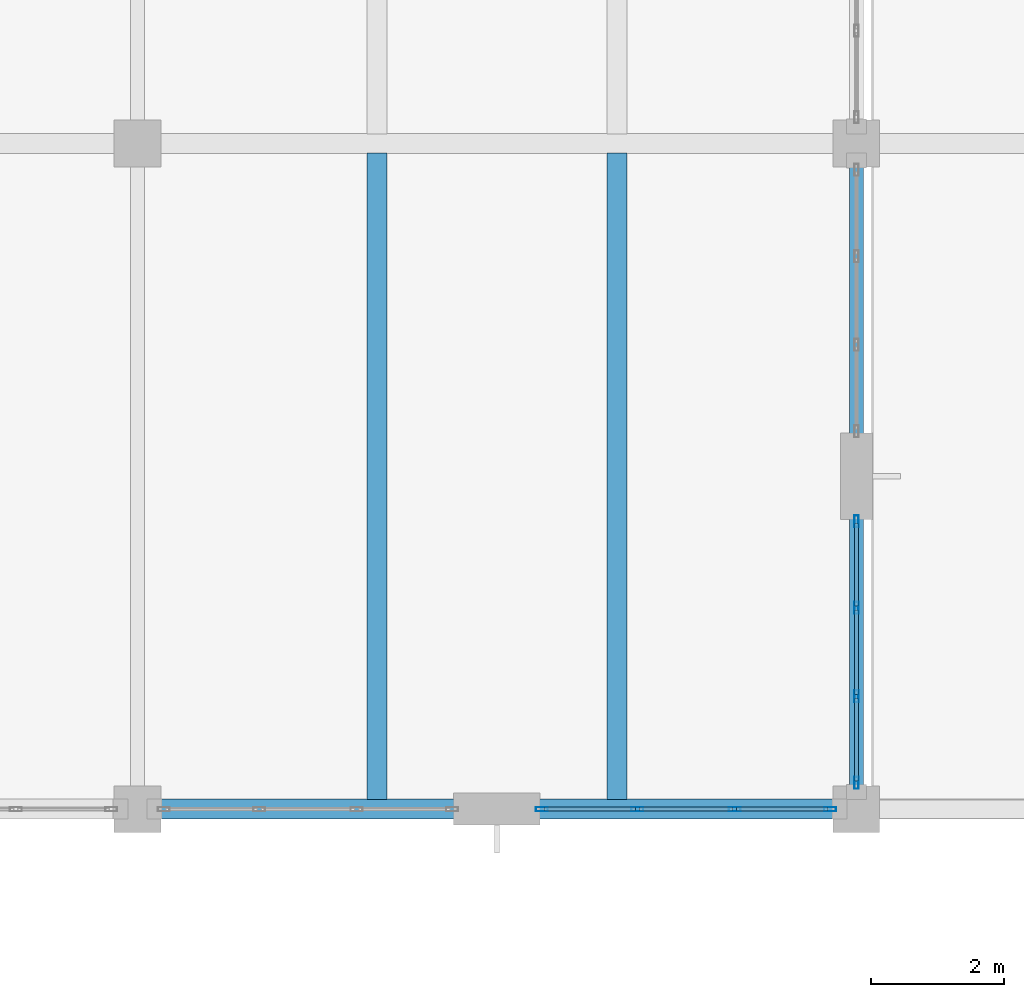
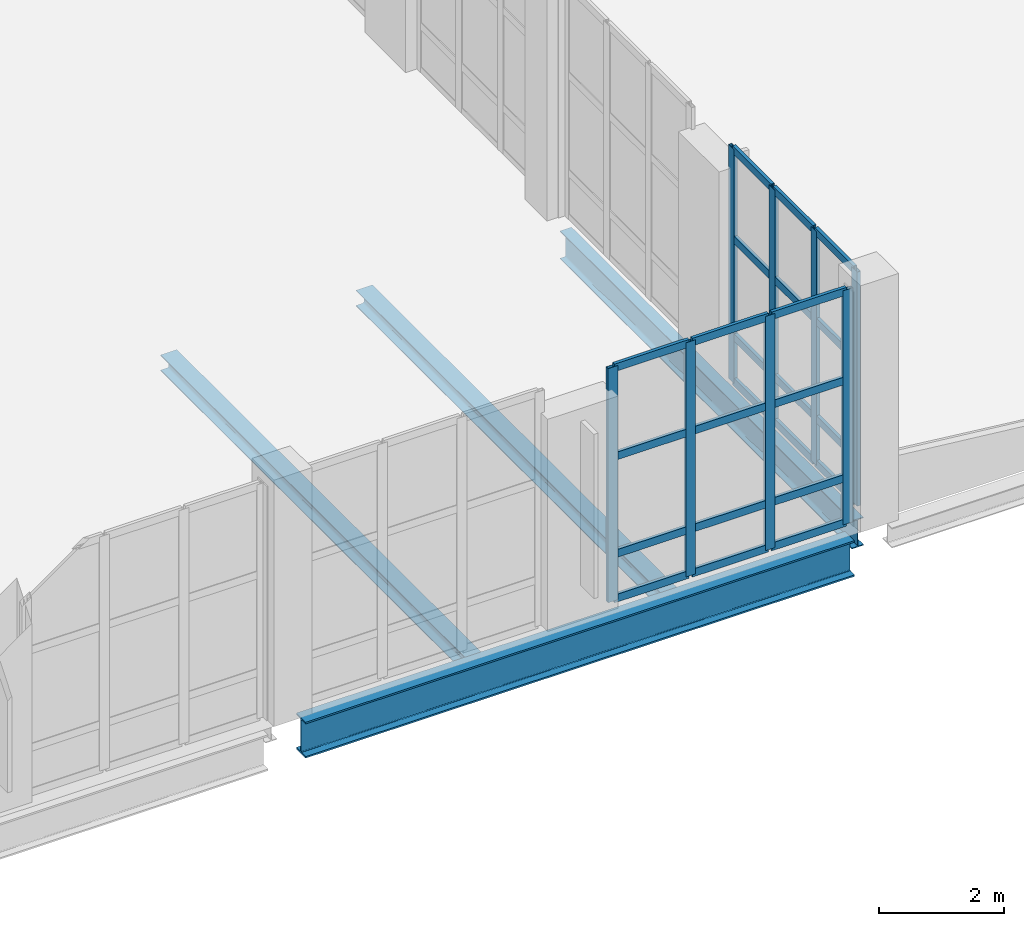
# One storey, part 48 of 92: 32 members, 4 beams, 2 elements without a shape of their own.
"""IFC4 building model written with IfcOpenShell, lengths in metres."""

from ifc_helpers import new_model, si_unit, direction, frame, origin, origin_2d, place, context, subcontext, project, spatial, hollow_rectangle, i_section, extrude, material, layer, layer_set, material_profile, profile_set, type_object, element, aggregate, save


model = new_model("IFC4")

# Units and contexts
model_context = context("Model", 3, precision=1e-05, world=origin(), true_north=direction((0.0, 1.0)))
body_context = subcontext(model_context, "Body", "Model", "MODEL_VIEW")
ifc_project = project(units=[si_unit("LENGTHUNIT", "METRE"), si_unit("AREAUNIT", "SQUARE_METRE"), si_unit("VOLUMEUNIT", "CUBIC_METRE"), si_unit("PLANEANGLEUNIT", "RADIAN"), si_unit("MASSUNIT", "GRAM", prefix="KILO")], contexts=[model_context])

# Site, building, storey
site_placement = place(None, origin())
site = spatial("IfcSite", under=ifc_project, at=site_placement, CompositionType="ELEMENT")
building_placement = place(site_placement, origin())
building = spatial("IfcBuilding", under=site, at=building_placement, Name="Tasgan Crest Museum", CompositionType="ELEMENT")
storey_placement = place(building_placement, frame((0.0, 0.0, 4.800048828125)))
storey = spatial("IfcBuildingStorey", under=building, at=storey_placement, Name="L01", CompositionType="ELEMENT", Elevation=4.800048828125)

# Beams
ifc_material_1 = material(Name="Steel S355K2", Category="steel")
ifc_material_profile_1 = material_profile(ifc_material_1, i_section(OverallWidth=0.300048828125, OverallDepth=0.699951171875, WebThickness=0.01708984375, FlangeThickness=0.031982421875, FilletRadius=0.027099609375, at=origin_2d()), Name="HEB 700")
ifc_profile_set_1 = profile_set([ifc_material_profile_1], Name="Steel S355K2")
beam_type_1 = type_object("IfcBeamType", Name="BM-G-HEB700", PredefinedType="BEAM", material=ifc_profile_set_1)
beam_1_placement = place(storey_placement, frame((140.74609375, 10.0, -0.630126953125), z_axis=(1.0, 0.0, 0.0), x_axis=(0.0, 1.0, 0.0)))
element("IfcBeam", 1, at=beam_1_placement, inside=storey, type_object=beam_type_1, Name="Girder L01 B 140.4-151.2", PredefinedType="BEAM", context=body_context, shape_type="SweptSolid", body=[
    extrude(i_section(OverallWidth=0.300048828125, OverallDepth=0.699951171875, WebThickness=0.01708984375, FlangeThickness=0.031982421875, FilletRadius=0.027099609375, at=origin_2d()), origin(), (0.0, 0.0, 1.0), 10.10791015625),
])
ifc_material_2 = material(Name="Steel S355J2", Category="steel")
ifc_material_profile_2 = material_profile(ifc_material_2, i_section(OverallWidth=0.2099609375, OverallDepth=0.550048828125, WebThickness=0.010986328125, FlangeThickness=0.01708984375, FilletRadius=0.02392578125, at=origin_2d()), Name="IPE 550")
ifc_profile_set_2 = profile_set([ifc_material_profile_2], Name="Steel S355J2")
beam_type_2 = type_object("IfcBeamType", Name="BM-G-IPE550", PredefinedType="BEAM", material=ifc_profile_set_2)
beam_2_placement = place(storey_placement, frame((151.199951171875, 10.344970703125, -0.554931640625), z_axis=(0.0, 1.0, 0.0), x_axis=(-1.0, 0.0, 0.0)))
element("IfcBeam", 2, at=beam_2_placement, inside=storey, type_object=beam_type_2, Name="Beam L01 15 10.0-20.0", PredefinedType="BEAM", context=body_context, shape_type="SweptSolid", body=[
    extrude(i_section(OverallWidth=0.2099609375, OverallDepth=0.550048828125, WebThickness=0.010986328125, FlangeThickness=0.01708984375, FilletRadius=0.02392578125, at=origin_2d()), origin(), (0.0, 0.0, 1.0), 9.31005859375),
])
ifc_material_3 = material(Name="Steel S355J2", Category="steel")
ifc_material_profile_3 = material_profile(ifc_material_3, i_section(OverallWidth=0.300048828125, OverallDepth=0.31005859375, WebThickness=0.009033203125, FlangeThickness=0.015380859375, FilletRadius=0.027099609375, at=origin_2d()), Name="HEA 320")
ifc_profile_set_3 = profile_set([ifc_material_profile_3], Name="Steel S355J2")
beam_type_3 = type_object("IfcBeamType", Name="BM-J-HEA320", PredefinedType="JOIST", material=ifc_profile_set_3)
for number, where, z_axis, x_axis, name in (
    (3, (144.0, 10.14501953125, -0.43505859375), (0.0, 1.0, 0.0), (-1.0, 0.0, 0.0), "Secondary joist L01 X=144.0 Y=10.0-20.0"),
    (4, (147.60009765625, 10.14501953125, -0.43505859375), (0.0, 1.0, 0.0), (-1.0, 0.0, 0.0), "Secondary joist L01 X=147.6 Y=10.0-20.0"),
):
    element("IfcBeam", number, at=place(storey_placement, frame(where, z_axis=z_axis, x_axis=x_axis)), inside=storey, type_object=beam_type_3, Name=name, PredefinedType="JOIST", context=body_context, shape_type="SweptSolid", body=[
        extrude(i_section(OverallWidth=0.300048828125, OverallDepth=0.31005859375, WebThickness=0.009033203125, FlangeThickness=0.015380859375, FilletRadius=0.027099609375, at=origin_2d()), origin(), (0.0, 0.0, 1.0), 9.7099609375),
    ])

# Curtain wall, members
ifc_material_4 = material(Name="Triple-Glazed Aluminium Curtain Wall", Category="aluminium")
ifc_layer_1 = layer(ifc_material_4, 0.179931640625, Name="CW-PORCH-X")
ifc_layer_set_1 = layer_set([ifc_layer_1], Name="Triple-Glazed Aluminium Curtain Wall")
curtain_wall_type_1 = type_object("IfcCurtainWallType", Name="CW-PORCH-X", PredefinedType="NOTDEFINED", material=ifc_layer_set_1)
curtain_wall_1_placement = place(storey_placement, origin())
curtain_wall_1 = element("IfcCurtainWall", 5, at=curtain_wall_1_placement, inside=storey, type_object=curtain_wall_type_1, Name="Curtain wall L01 050", PredefinedType="NOTDEFINED")
ifc_material_5 = material(Name="Anodised Aluminium", Category="aluminium")
ifc_material_profile_4 = material_profile(ifc_material_5, hollow_rectangle(XDim=0.06494140625, YDim=0.179931640625, WallThickness=0.0048828125, at=origin_2d()), Name="ALU MULLION 180x65x5")
ifc_profile_set_4 = profile_set([ifc_material_profile_4], Name="Anodised Aluminium")
member_type_1 = type_object("IfcMemberType", Name="CW-MULLION-180", PredefinedType="MULLION", material=ifc_profile_set_4)
member_1_placement = place(storey_placement, frame((146.47509765625, 10.0, 0.0), z_axis=(0.0, 0.0, 1.0), x_axis=(0.0, 1.0, 0.0)))
member_1 = element("IfcMember", 6, at=member_1_placement, type_object=member_type_1, Name="CW01 mullion 1", PredefinedType="MULLION", context=body_context, shape_type="SweptSolid", body=[
    extrude(hollow_rectangle(XDim=0.06494140625, YDim=0.179931640625, WallThickness=0.0048828125, at=origin_2d()), origin(), (0.0, 0.0, 1.0), 4.56005859375),
])
member_2_placement = place(storey_placement, frame((147.908447265625, 10.0, 0.0), z_axis=(0.0, 0.0, 1.0), x_axis=(0.0, 1.0, 0.0)))
member_2 = element("IfcMember", 7, at=member_2_placement, type_object=member_type_1, Name="CW01 mullion 2", PredefinedType="MULLION", context=body_context, shape_type="SweptSolid", body=[
    extrude(hollow_rectangle(XDim=0.06494140625, YDim=0.179931640625, WallThickness=0.0048828125, at=origin_2d()), origin(), (0.0, 0.0, 1.0), 4.56005859375),
])
member_3_placement = place(storey_placement, frame((149.37158203125, 10.0, 0.0), z_axis=(0.0, 0.0, 1.0), x_axis=(0.0, 1.0, 0.0)))
member_3 = element("IfcMember", 8, at=member_3_placement, type_object=member_type_1, Name="CW01 mullion 3", PredefinedType="MULLION", context=body_context, shape_type="SweptSolid", body=[
    extrude(hollow_rectangle(XDim=0.06494140625, YDim=0.179931640625, WallThickness=0.0048828125, at=origin_2d()), origin(), (0.0, 0.0, 1.0), 4.56005859375),
])
member_4_placement = place(storey_placement, frame((150.804931640625, 10.0, 0.0), z_axis=(0.0, 0.0, 1.0), x_axis=(0.0, 1.0, 0.0)))
member_4 = element("IfcMember", 9, at=member_4_placement, type_object=member_type_1, Name="CW01 mullion 4", PredefinedType="MULLION", context=body_context, shape_type="SweptSolid", body=[
    extrude(hollow_rectangle(XDim=0.06494140625, YDim=0.179931640625, WallThickness=0.0048828125, at=origin_2d()), origin(), (0.0, 0.0, 1.0), 4.56005859375),
])

ifc_material_6 = material(Name="Triple-Glazed Aluminium Curtain Wall", Category="aluminium")
ifc_layer_2 = layer(ifc_material_6, 0.179931640625, Name="CW-PORCH-Y")
ifc_layer_set_2 = layer_set([ifc_layer_2], Name="Triple-Glazed Aluminium Curtain Wall")
curtain_wall_type_2 = type_object("IfcCurtainWallType", Name="CW-PORCH-Y", PredefinedType="NOTDEFINED", material=ifc_layer_set_2)
curtain_wall_2_placement = place(storey_placement, origin())
curtain_wall_2 = element("IfcCurtainWall", 10, at=curtain_wall_2_placement, inside=storey, type_object=curtain_wall_type_2, Name="Curtain wall L01 051", PredefinedType="NOTDEFINED")
member_5_placement = place(storey_placement, frame((151.199951171875, 10.39501953125, 0.0), z_axis=(0.0, 0.0, 1.0), x_axis=(-1.0, 0.0, 0.0)))
member_5 = element("IfcMember", 11, at=member_5_placement, type_object=member_type_1, Name="CW02 mullion 1", PredefinedType="MULLION", context=body_context, shape_type="SweptSolid", body=[
    extrude(hollow_rectangle(XDim=0.06494140625, YDim=0.179931640625, WallThickness=0.0048828125, at=origin_2d()), origin(), (0.0, 0.0, 1.0), 4.56005859375),
])
member_6_placement = place(storey_placement, frame((151.199951171875, 11.695068359375, 0.0), z_axis=(0.0, 0.0, 1.0), x_axis=(-1.0, 0.0, 0.0)))
member_6 = element("IfcMember", 12, at=member_6_placement, type_object=member_type_1, Name="CW02 mullion 2", PredefinedType="MULLION", context=body_context, shape_type="SweptSolid", body=[
    extrude(hollow_rectangle(XDim=0.06494140625, YDim=0.179931640625, WallThickness=0.0048828125, at=origin_2d()), origin(), (0.0, 0.0, 1.0), 4.56005859375),
])
member_7_placement = place(storey_placement, frame((151.199951171875, 13.02490234375, 0.0), z_axis=(0.0, 0.0, 1.0), x_axis=(-1.0, 0.0, 0.0)))
member_7 = element("IfcMember", 13, at=member_7_placement, type_object=member_type_1, Name="CW02 mullion 3", PredefinedType="MULLION", context=body_context, shape_type="SweptSolid", body=[
    extrude(hollow_rectangle(XDim=0.06494140625, YDim=0.179931640625, WallThickness=0.0048828125, at=origin_2d()), origin(), (0.0, 0.0, 1.0), 4.56005859375),
])
member_8_placement = place(storey_placement, frame((151.199951171875, 14.324951171875, 0.0), z_axis=(0.0, 0.0, 1.0), x_axis=(-1.0, 0.0, 0.0)))
member_8 = element("IfcMember", 14, at=member_8_placement, type_object=member_type_1, Name="CW02 mullion 4", PredefinedType="MULLION", context=body_context, shape_type="SweptSolid", body=[
    extrude(hollow_rectangle(XDim=0.06494140625, YDim=0.179931640625, WallThickness=0.0048828125, at=origin_2d()), origin(), (0.0, 0.0, 1.0), 4.56005859375),
])

# Member
ifc_material_7 = material(Name="Anodised Aluminium", Category="aluminium")
ifc_material_profile_5 = material_profile(ifc_material_7, hollow_rectangle(XDim=0.06005859375, YDim=0.14990234375, WallThickness=0.0048828125, at=origin_2d()), Name="ALU TRANSOM 150x60x5")
ifc_profile_set_5 = profile_set([ifc_material_profile_5], Name="Anodised Aluminium")
member_type_2 = type_object("IfcMemberType", Name="CW-TRANSOM-150", PredefinedType="USERDEFINED", material=ifc_profile_set_5)
member_9_placement = place(storey_placement, frame((146.5048828125, 10.0, 0.030029296875), z_axis=(1.0, 0.0, 0.0), x_axis=(0.0, 1.0, 0.0)))
member_9 = element("IfcMember", 15, at=member_9_placement, type_object=member_type_2, Name="CW01 transom 1.1", ObjectType="TRANSOM", PredefinedType="USERDEFINED", context=body_context, shape_type="SweptSolid", body=[
    extrude(hollow_rectangle(XDim=0.06005859375, YDim=0.14990234375, WallThickness=0.0048828125, at=origin_2d()), origin(), (0.0, 0.0, 1.0), 1.37353515625),
])

member_10_placement = place(storey_placement, frame((146.5048828125, 10.0, 0.89990234375), z_axis=(1.0, 0.0, 0.0), x_axis=(0.0, 1.0, 0.0)))
member_10 = element("IfcMember", 16, at=member_10_placement, type_object=member_type_2, Name="CW01 transom 1.2", ObjectType="TRANSOM", PredefinedType="USERDEFINED", context=body_context, shape_type="SweptSolid", body=[
    extrude(hollow_rectangle(XDim=0.06005859375, YDim=0.14990234375, WallThickness=0.0048828125, at=origin_2d()), origin(), (0.0, 0.0, 1.0), 1.37353515625),
])

member_11_placement = place(storey_placement, frame((146.5048828125, 10.0, 2.800048828125), z_axis=(1.0, 0.0, 0.0), x_axis=(0.0, 1.0, 0.0)))
member_11 = element("IfcMember", 17, at=member_11_placement, type_object=member_type_2, Name="CW01 transom 1.3", ObjectType="TRANSOM", PredefinedType="USERDEFINED", context=body_context, shape_type="SweptSolid", body=[
    extrude(hollow_rectangle(XDim=0.06005859375, YDim=0.14990234375, WallThickness=0.0048828125, at=origin_2d()), origin(), (0.0, 0.0, 1.0), 1.37353515625),
])

member_12_placement = place(storey_placement, frame((146.5048828125, 10.0, 4.530029296875), z_axis=(1.0, 0.0, 0.0), x_axis=(0.0, 1.0, 0.0)))
member_12 = element("IfcMember", 18, at=member_12_placement, type_object=member_type_2, Name="CW01 transom 1.4", ObjectType="TRANSOM", PredefinedType="USERDEFINED", context=body_context, shape_type="SweptSolid", body=[
    extrude(hollow_rectangle(XDim=0.06005859375, YDim=0.14990234375, WallThickness=0.0048828125, at=origin_2d()), origin(), (0.0, 0.0, 1.0), 1.37353515625),
])

member_13_placement = place(storey_placement, frame((147.938232421875, 10.0, 0.030029296875), z_axis=(1.0, 0.0, 0.0), x_axis=(0.0, 1.0, 0.0)))
member_13 = element("IfcMember", 19, at=member_13_placement, type_object=member_type_2, Name="CW01 transom 2.1", ObjectType="TRANSOM", PredefinedType="USERDEFINED", context=body_context, shape_type="SweptSolid", body=[
    extrude(hollow_rectangle(XDim=0.06005859375, YDim=0.14990234375, WallThickness=0.0048828125, at=origin_2d()), origin(), (0.0, 0.0, 1.0), 1.4033203125),
])

member_14_placement = place(storey_placement, frame((147.938232421875, 10.0, 0.89990234375), z_axis=(1.0, 0.0, 0.0), x_axis=(0.0, 1.0, 0.0)))
member_14 = element("IfcMember", 20, at=member_14_placement, type_object=member_type_2, Name="CW01 transom 2.2", ObjectType="TRANSOM", PredefinedType="USERDEFINED", context=body_context, shape_type="SweptSolid", body=[
    extrude(hollow_rectangle(XDim=0.06005859375, YDim=0.14990234375, WallThickness=0.0048828125, at=origin_2d()), origin(), (0.0, 0.0, 1.0), 1.4033203125),
])

member_15_placement = place(storey_placement, frame((147.938232421875, 10.0, 2.800048828125), z_axis=(1.0, 0.0, 0.0), x_axis=(0.0, 1.0, 0.0)))
member_15 = element("IfcMember", 21, at=member_15_placement, type_object=member_type_2, Name="CW01 transom 2.3", ObjectType="TRANSOM", PredefinedType="USERDEFINED", context=body_context, shape_type="SweptSolid", body=[
    extrude(hollow_rectangle(XDim=0.06005859375, YDim=0.14990234375, WallThickness=0.0048828125, at=origin_2d()), origin(), (0.0, 0.0, 1.0), 1.4033203125),
])

member_16_placement = place(storey_placement, frame((147.938232421875, 10.0, 4.530029296875), z_axis=(1.0, 0.0, 0.0), x_axis=(0.0, 1.0, 0.0)))
member_16 = element("IfcMember", 22, at=member_16_placement, type_object=member_type_2, Name="CW01 transom 2.4", ObjectType="TRANSOM", PredefinedType="USERDEFINED", context=body_context, shape_type="SweptSolid", body=[
    extrude(hollow_rectangle(XDim=0.06005859375, YDim=0.14990234375, WallThickness=0.0048828125, at=origin_2d()), origin(), (0.0, 0.0, 1.0), 1.4033203125),
])

member_17_placement = place(storey_placement, frame((149.401611328125, 10.0, 0.030029296875), z_axis=(1.0, 0.0, 0.0), x_axis=(0.0, 1.0, 0.0)))
member_17 = element("IfcMember", 23, at=member_17_placement, type_object=member_type_2, Name="CW01 transom 3.1", ObjectType="TRANSOM", PredefinedType="USERDEFINED", context=body_context, shape_type="SweptSolid", body=[
    extrude(hollow_rectangle(XDim=0.06005859375, YDim=0.14990234375, WallThickness=0.0048828125, at=origin_2d()), origin(), (0.0, 0.0, 1.0), 1.373291015625),
])

member_18_placement = place(storey_placement, frame((149.401611328125, 10.0, 0.89990234375), z_axis=(1.0, 0.0, 0.0), x_axis=(0.0, 1.0, 0.0)))
member_18 = element("IfcMember", 24, at=member_18_placement, type_object=member_type_2, Name="CW01 transom 3.2", ObjectType="TRANSOM", PredefinedType="USERDEFINED", context=body_context, shape_type="SweptSolid", body=[
    extrude(hollow_rectangle(XDim=0.06005859375, YDim=0.14990234375, WallThickness=0.0048828125, at=origin_2d()), origin(), (0.0, 0.0, 1.0), 1.373291015625),
])

member_19_placement = place(storey_placement, frame((149.401611328125, 10.0, 2.800048828125), z_axis=(1.0, 0.0, 0.0), x_axis=(0.0, 1.0, 0.0)))
member_19 = element("IfcMember", 25, at=member_19_placement, type_object=member_type_2, Name="CW01 transom 3.3", ObjectType="TRANSOM", PredefinedType="USERDEFINED", context=body_context, shape_type="SweptSolid", body=[
    extrude(hollow_rectangle(XDim=0.06005859375, YDim=0.14990234375, WallThickness=0.0048828125, at=origin_2d()), origin(), (0.0, 0.0, 1.0), 1.373291015625),
])

member_20_placement = place(storey_placement, frame((149.401611328125, 10.0, 4.530029296875), z_axis=(1.0, 0.0, 0.0), x_axis=(0.0, 1.0, 0.0)))
member_20 = element("IfcMember", 26, at=member_20_placement, type_object=member_type_2, Name="CW01 transom 3.4", ObjectType="TRANSOM", PredefinedType="USERDEFINED", context=body_context, shape_type="SweptSolid", body=[
    extrude(hollow_rectangle(XDim=0.06005859375, YDim=0.14990234375, WallThickness=0.0048828125, at=origin_2d()), origin(), (0.0, 0.0, 1.0), 1.373291015625),
])

aggregate(curtain_wall_1, [member_1, member_2, member_3, member_4, member_9, member_10, member_11, member_12, member_13, member_14, member_15, member_16, member_17, member_18, member_19, member_20])

member_21_placement = place(storey_placement, frame((151.199951171875, 10.425048828125, 0.030029296875), z_axis=(0.0, 1.0, 0.0), x_axis=(-1.0, 0.0, 0.0)))
member_21 = element("IfcMember", 27, at=member_21_placement, type_object=member_type_2, Name="CW02 transom 1.1", ObjectType="TRANSOM", PredefinedType="USERDEFINED", context=body_context, shape_type="SweptSolid", body=[
    extrude(hollow_rectangle(XDim=0.06005859375, YDim=0.14990234375, WallThickness=0.0048828125, at=origin_2d()), origin(), (0.0, 0.0, 1.0), 1.239990234375),
])

member_22_placement = place(storey_placement, frame((151.199951171875, 10.425048828125, 0.89990234375), z_axis=(0.0, 1.0, 0.0), x_axis=(-1.0, 0.0, 0.0)))
member_22 = element("IfcMember", 28, at=member_22_placement, type_object=member_type_2, Name="CW02 transom 1.2", ObjectType="TRANSOM", PredefinedType="USERDEFINED", context=body_context, shape_type="SweptSolid", body=[
    extrude(hollow_rectangle(XDim=0.06005859375, YDim=0.14990234375, WallThickness=0.0048828125, at=origin_2d()), origin(), (0.0, 0.0, 1.0), 1.239990234375),
])

member_23_placement = place(storey_placement, frame((151.199951171875, 10.425048828125, 2.800048828125), z_axis=(0.0, 1.0, 0.0), x_axis=(-1.0, 0.0, 0.0)))
member_23 = element("IfcMember", 29, at=member_23_placement, type_object=member_type_2, Name="CW02 transom 1.3", ObjectType="TRANSOM", PredefinedType="USERDEFINED", context=body_context, shape_type="SweptSolid", body=[
    extrude(hollow_rectangle(XDim=0.06005859375, YDim=0.14990234375, WallThickness=0.0048828125, at=origin_2d()), origin(), (0.0, 0.0, 1.0), 1.239990234375),
])

member_24_placement = place(storey_placement, frame((151.199951171875, 10.425048828125, 4.530029296875), z_axis=(0.0, 1.0, 0.0), x_axis=(-1.0, 0.0, 0.0)))
member_24 = element("IfcMember", 30, at=member_24_placement, type_object=member_type_2, Name="CW02 transom 1.4", ObjectType="TRANSOM", PredefinedType="USERDEFINED", context=body_context, shape_type="SweptSolid", body=[
    extrude(hollow_rectangle(XDim=0.06005859375, YDim=0.14990234375, WallThickness=0.0048828125, at=origin_2d()), origin(), (0.0, 0.0, 1.0), 1.239990234375),
])

member_25_placement = place(storey_placement, frame((151.199951171875, 11.72509765625, 0.030029296875), z_axis=(0.0, 1.0, 0.0), x_axis=(-1.0, 0.0, 0.0)))
member_25 = element("IfcMember", 31, at=member_25_placement, type_object=member_type_2, Name="CW02 transom 2.1", ObjectType="TRANSOM", PredefinedType="USERDEFINED", context=body_context, shape_type="SweptSolid", body=[
    extrude(hollow_rectangle(XDim=0.06005859375, YDim=0.14990234375, WallThickness=0.0048828125, at=origin_2d()), origin(), (0.0, 0.0, 1.0), 1.27001953125),
])

member_26_placement = place(storey_placement, frame((151.199951171875, 11.72509765625, 0.89990234375), z_axis=(0.0, 1.0, 0.0), x_axis=(-1.0, 0.0, 0.0)))
member_26 = element("IfcMember", 32, at=member_26_placement, type_object=member_type_2, Name="CW02 transom 2.2", ObjectType="TRANSOM", PredefinedType="USERDEFINED", context=body_context, shape_type="SweptSolid", body=[
    extrude(hollow_rectangle(XDim=0.06005859375, YDim=0.14990234375, WallThickness=0.0048828125, at=origin_2d()), origin(), (0.0, 0.0, 1.0), 1.27001953125),
])

member_27_placement = place(storey_placement, frame((151.199951171875, 11.72509765625, 2.800048828125), z_axis=(0.0, 1.0, 0.0), x_axis=(-1.0, 0.0, 0.0)))
member_27 = element("IfcMember", 33, at=member_27_placement, type_object=member_type_2, Name="CW02 transom 2.3", ObjectType="TRANSOM", PredefinedType="USERDEFINED", context=body_context, shape_type="SweptSolid", body=[
    extrude(hollow_rectangle(XDim=0.06005859375, YDim=0.14990234375, WallThickness=0.0048828125, at=origin_2d()), origin(), (0.0, 0.0, 1.0), 1.27001953125),
])

member_28_placement = place(storey_placement, frame((151.199951171875, 11.72509765625, 4.530029296875), z_axis=(0.0, 1.0, 0.0), x_axis=(-1.0, 0.0, 0.0)))
member_28 = element("IfcMember", 34, at=member_28_placement, type_object=member_type_2, Name="CW02 transom 2.4", ObjectType="TRANSOM", PredefinedType="USERDEFINED", context=body_context, shape_type="SweptSolid", body=[
    extrude(hollow_rectangle(XDim=0.06005859375, YDim=0.14990234375, WallThickness=0.0048828125, at=origin_2d()), origin(), (0.0, 0.0, 1.0), 1.27001953125),
])

member_29_placement = place(storey_placement, frame((151.199951171875, 13.054931640625, 0.030029296875), z_axis=(0.0, 1.0, 0.0), x_axis=(-1.0, 0.0, 0.0)))
member_29 = element("IfcMember", 35, at=member_29_placement, type_object=member_type_2, Name="CW02 transom 3.1", ObjectType="TRANSOM", PredefinedType="USERDEFINED", context=body_context, shape_type="SweptSolid", body=[
    extrude(hollow_rectangle(XDim=0.06005859375, YDim=0.14990234375, WallThickness=0.0048828125, at=origin_2d()), origin(), (0.0, 0.0, 1.0), 1.239990234375),
])

member_30_placement = place(storey_placement, frame((151.199951171875, 13.054931640625, 0.89990234375), z_axis=(0.0, 1.0, 0.0), x_axis=(-1.0, 0.0, 0.0)))
member_30 = element("IfcMember", 36, at=member_30_placement, type_object=member_type_2, Name="CW02 transom 3.2", ObjectType="TRANSOM", PredefinedType="USERDEFINED", context=body_context, shape_type="SweptSolid", body=[
    extrude(hollow_rectangle(XDim=0.06005859375, YDim=0.14990234375, WallThickness=0.0048828125, at=origin_2d()), origin(), (0.0, 0.0, 1.0), 1.239990234375),
])

member_31_placement = place(storey_placement, frame((151.199951171875, 13.054931640625, 2.800048828125), z_axis=(0.0, 1.0, 0.0), x_axis=(-1.0, 0.0, 0.0)))
member_31 = element("IfcMember", 37, at=member_31_placement, type_object=member_type_2, Name="CW02 transom 3.3", ObjectType="TRANSOM", PredefinedType="USERDEFINED", context=body_context, shape_type="SweptSolid", body=[
    extrude(hollow_rectangle(XDim=0.06005859375, YDim=0.14990234375, WallThickness=0.0048828125, at=origin_2d()), origin(), (0.0, 0.0, 1.0), 1.239990234375),
])

member_32_placement = place(storey_placement, frame((151.199951171875, 13.054931640625, 4.530029296875), z_axis=(0.0, 1.0, 0.0), x_axis=(-1.0, 0.0, 0.0)))
member_32 = element("IfcMember", 38, at=member_32_placement, type_object=member_type_2, Name="CW02 transom 3.4", ObjectType="TRANSOM", PredefinedType="USERDEFINED", context=body_context, shape_type="SweptSolid", body=[
    extrude(hollow_rectangle(XDim=0.06005859375, YDim=0.14990234375, WallThickness=0.0048828125, at=origin_2d()), origin(), (0.0, 0.0, 1.0), 1.239990234375),
])

aggregate(curtain_wall_2, [member_5, member_6, member_7, member_8, member_21, member_22, member_23, member_24, member_25, member_26, member_27, member_28, member_29, member_30, member_31, member_32])

save(model, "model.ifc")
